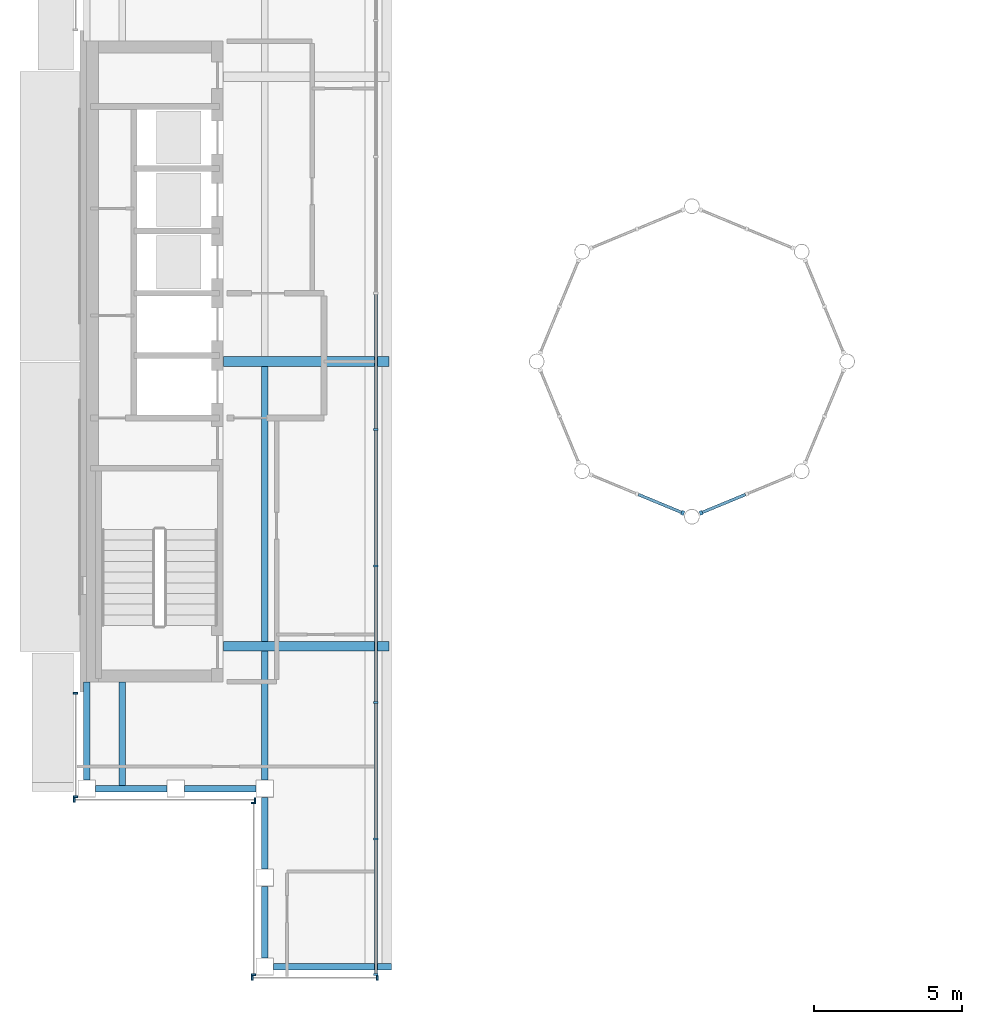
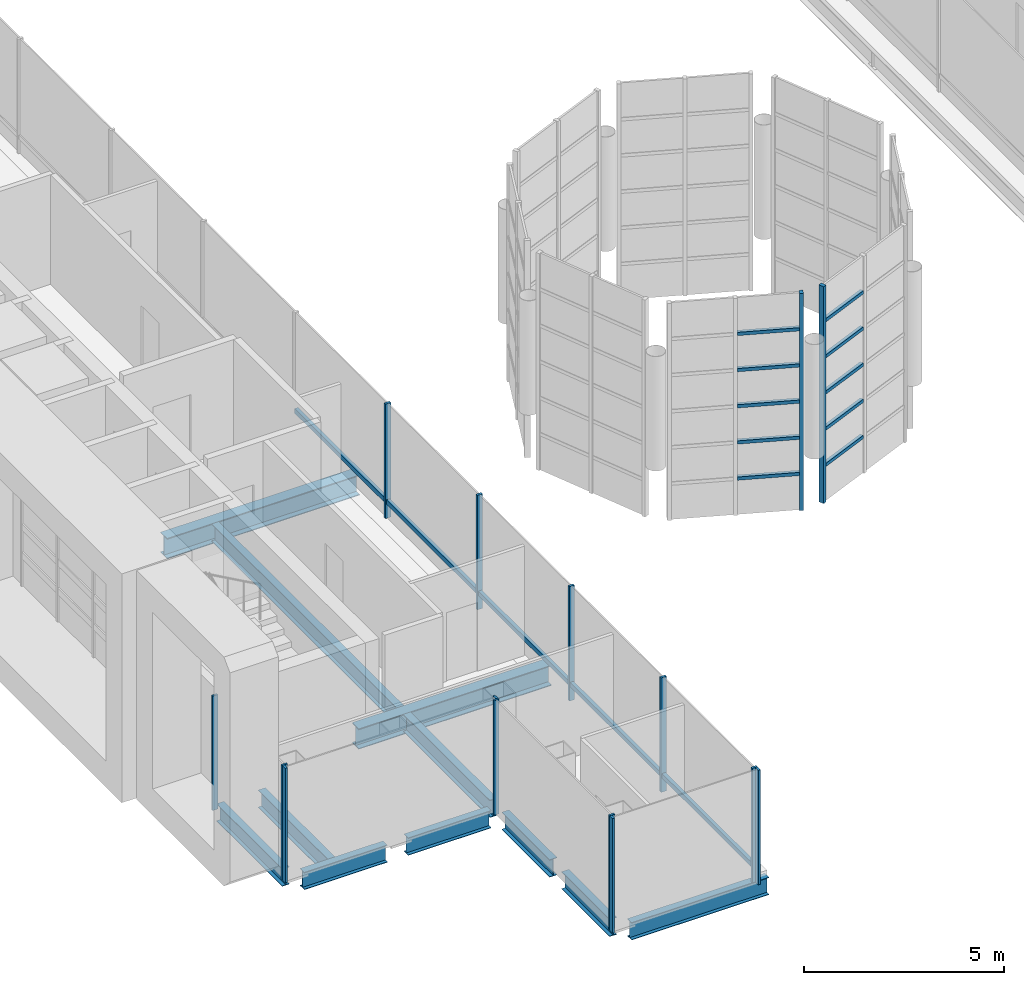
# One storey, part 3 of 21: 30 members, 11 beams, 7 elements without a shape of their own.
"""IFC4 building model written with IfcOpenShell, lengths in metres."""

from ifc_helpers import new_model, si_unit, direction, frame, origin, origin_2d, place, context, subcontext, project, spatial, rectangle, i_section, extrude, material, material_profile, profile_set, type_object, element, aggregate, save


model = new_model("IFC4")

# Units and contexts
model_context = context("Model", 3, precision=1e-05, world=origin(), true_north=direction((0.0, 1.0)))
body_context = subcontext(model_context, "Body", "Model", "MODEL_VIEW")
ifc_project = project(units=[si_unit("LENGTHUNIT", "METRE"), si_unit("AREAUNIT", "SQUARE_METRE"), si_unit("VOLUMEUNIT", "CUBIC_METRE"), si_unit("PLANEANGLEUNIT", "RADIAN"), si_unit("MASSUNIT", "GRAM", prefix="KILO")], contexts=[model_context])

# Site, building, storey
site_placement = place(None, origin())
site = spatial("IfcSite", under=ifc_project, at=site_placement, CompositionType="ELEMENT")
building_placement = place(site_placement, origin())
building = spatial("IfcBuilding", under=site, at=building_placement, Name="Cobrizo Arcos Hotel Tower", CompositionType="ELEMENT")
storey_placement = place(building_placement, frame((0.0, 0.0, 283.0)))
storey = spatial("IfcBuildingStorey", under=building, at=storey_placement, Name="L75", CompositionType="ELEMENT", Elevation=283.0)

# Curtain wall, members
ifc_material_1 = material(Name="Aluminium 6063-T6 anodised bronze", Category="aluminium")
curtain_wall_type_1 = type_object("IfcCurtainWallType", Name="CW-A guest facade", PredefinedType="NOTDEFINED", material=ifc_material_1)
curtain_wall_1_placement = place(storey_placement, origin())
curtain_wall_1 = element("IfcCurtainWall", 1, at=curtain_wall_1_placement, inside=storey, type_object=curtain_wall_type_1, Name="CW-A L75 S face", PredefinedType="NOTDEFINED")
ifc_material_profile_1 = material_profile(ifc_material_1, rectangle(XDim=0.14990234375, YDim=0.06005859375, at=origin_2d()), Name="CW-A mullion 150x60")
ifc_profile_set_1 = profile_set([ifc_material_profile_1], Name="Aluminium 6063-T6 anodised bronze")
member_type_1 = type_object("IfcMemberType", Name="CW-A mullion 150x60", PredefinedType="MULLION", material=ifc_profile_set_1)
member_1_placement = place(storey_placement, frame((-14.820068359375, -20.77490234375, 0.0), z_axis=(0.0, 0.0, 1.0), x_axis=(0.0, -1.0, 0.0)))
member_1 = element("IfcMember", 2, at=member_1_placement, type_object=member_type_1, Name="CW-A mullion 1", PredefinedType="MULLION", context=body_context, shape_type="SweptSolid", body=[
    extrude(rectangle(XDim=0.14990234375, YDim=0.06005859375, at=origin_2d()), origin(), (0.0, 0.0, 1.0), 3.5),
])
member_2_placement = place(storey_placement, frame((-10.60595703125, -20.77490234375, 0.0), z_axis=(0.0, 0.0, 1.0), x_axis=(0.0, -1.0, 0.0)))
member_2 = element("IfcMember", 3, at=member_2_placement, type_object=member_type_1, Name="CW-A mullion 2", PredefinedType="MULLION", context=body_context, shape_type="SweptSolid", body=[
    extrude(rectangle(XDim=0.14990234375, YDim=0.06005859375, at=origin_2d()), origin(), (0.0, 0.0, 1.0), 3.5),
])
aggregate(curtain_wall_1, [member_1, member_2])

curtain_wall_2_placement = place(storey_placement, origin())
curtain_wall_2 = element("IfcCurtainWall", 4, at=curtain_wall_2_placement, inside=storey, type_object=curtain_wall_type_1, Name="CW-A L75 W face", PredefinedType="NOTDEFINED")
member_3_placement = place(storey_placement, frame((-20.77490234375, -11.179931640625, 0.0), z_axis=(0.0, 0.0, 1.0), x_axis=(-1.0, 0.0, 0.0)))
member_3 = element("IfcMember", 5, at=member_3_placement, type_object=member_type_1, Name="CW-A mullion 1", PredefinedType="MULLION", context=body_context, shape_type="SweptSolid", body=[
    extrude(rectangle(XDim=0.14990234375, YDim=0.06005859375, at=origin_2d()), origin(), (0.0, 0.0, 1.0), 3.5),
])
member_4_placement = place(storey_placement, frame((-20.77490234375, -14.669921875, 0.0), z_axis=(0.0, 0.0, 1.0), x_axis=(-1.0, 0.0, 0.0)))
member_4 = element("IfcMember", 6, at=member_4_placement, type_object=member_type_1, Name="CW-A mullion 2", PredefinedType="MULLION", context=body_context, shape_type="SweptSolid", body=[
    extrude(rectangle(XDim=0.14990234375, YDim=0.06005859375, at=origin_2d()), origin(), (0.0, 0.0, 1.0), 3.5),
])
aggregate(curtain_wall_2, [member_3, member_4])

curtain_wall_3_placement = place(storey_placement, origin())
curtain_wall_3 = element("IfcCurtainWall", 7, at=curtain_wall_3_placement, inside=storey, type_object=curtain_wall_type_1, Name="CW-A L75 S face", PredefinedType="NOTDEFINED")
member_5_placement = place(storey_placement, frame((-20.820068359375, -14.77490234375, 0.0), z_axis=(0.0, 0.0, 1.0), x_axis=(0.0, -1.0, 0.0)))
member_5 = element("IfcMember", 8, at=member_5_placement, type_object=member_type_1, Name="CW-A mullion 1", PredefinedType="MULLION", context=body_context, shape_type="SweptSolid", body=[
    extrude(rectangle(XDim=0.14990234375, YDim=0.06005859375, at=origin_2d()), origin(), (0.0, 0.0, 1.0), 3.5),
])
member_6_placement = place(storey_placement, frame((-14.72998046875, -14.77490234375, 0.0), z_axis=(0.0, 0.0, 1.0), x_axis=(0.0, -1.0, 0.0)))
member_6 = element("IfcMember", 9, at=member_6_placement, type_object=member_type_1, Name="CW-A mullion 2", PredefinedType="MULLION", context=body_context, shape_type="SweptSolid", body=[
    extrude(rectangle(XDim=0.14990234375, YDim=0.06005859375, at=origin_2d()), origin(), (0.0, 0.0, 1.0), 3.5),
])
aggregate(curtain_wall_3, [member_5, member_6])

curtain_wall_4_placement = place(storey_placement, origin())
curtain_wall_4 = element("IfcCurtainWall", 10, at=curtain_wall_4_placement, inside=storey, type_object=curtain_wall_type_1, Name="CW-A L75 W face", PredefinedType="NOTDEFINED")
member_7_placement = place(storey_placement, frame((-14.77490234375, -14.8798828125, 0.0), z_axis=(0.0, 0.0, 1.0), x_axis=(-1.0, 0.0, 0.0)))
member_7 = element("IfcMember", 11, at=member_7_placement, type_object=member_type_1, Name="CW-A mullion 1", PredefinedType="MULLION", context=body_context, shape_type="SweptSolid", body=[
    extrude(rectangle(XDim=0.14990234375, YDim=0.06005859375, at=origin_2d()), origin(), (0.0, 0.0, 1.0), 3.5),
])
member_8_placement = place(storey_placement, frame((-14.77490234375, -20.669921875, 0.0), z_axis=(0.0, 0.0, 1.0), x_axis=(-1.0, 0.0, 0.0)))
member_8 = element("IfcMember", 12, at=member_8_placement, type_object=member_type_1, Name="CW-A mullion 2", PredefinedType="MULLION", context=body_context, shape_type="SweptSolid", body=[
    extrude(rectangle(XDim=0.14990234375, YDim=0.06005859375, at=origin_2d()), origin(), (0.0, 0.0, 1.0), 3.5),
])
aggregate(curtain_wall_4, [member_7, member_8])

curtain_wall_type_2 = type_object("IfcCurtainWallType", Name="CW-C arch infill and crown glazing", PredefinedType="NOTDEFINED", material=ifc_material_1)
curtain_wall_5_placement = place(storey_placement, origin())
curtain_wall_5 = element("IfcCurtainWall", 13, at=curtain_wall_5_placement, inside=storey, type_object=curtain_wall_type_2, Name="CW-C L75 E face", PredefinedType="NOTDEFINED")
ifc_material_profile_2 = material_profile(ifc_material_1, rectangle(XDim=0.14990234375, YDim=0.070068359375, at=origin_2d()), Name="CW-C mullion 150x70")
ifc_profile_set_2 = profile_set([ifc_material_profile_2], Name="Aluminium 6063-T6 anodised bronze")
member_type_2 = type_object("IfcMemberType", Name="CW-C mullion 150x70", PredefinedType="MULLION", material=ifc_profile_set_2)
member_9_placement = place(storey_placement, frame((-10.65087890625, -20.6650390625, 0.0), z_axis=(0.0, 0.0, 1.0), x_axis=(1.0, 0.0, 0.0)))
member_9 = element("IfcMember", 14, at=member_9_placement, type_object=member_type_2, Name="CW-C mullion 1", PredefinedType="MULLION", context=body_context, shape_type="SweptSolid", body=[
    extrude(rectangle(XDim=0.14990234375, YDim=0.070068359375, at=origin_2d()), origin(), (0.0, 0.0, 1.0), 3.5),
])
member_10_placement = place(storey_placement, frame((-10.65087890625, -16.10009765625, 0.0), z_axis=(0.0, 0.0, 1.0), x_axis=(1.0, 0.0, 0.0)))
member_10 = element("IfcMember", 15, at=member_10_placement, type_object=member_type_2, Name="CW-C mullion 2", PredefinedType="MULLION", context=body_context, shape_type="SweptSolid", body=[
    extrude(rectangle(XDim=0.14990234375, YDim=0.070068359375, at=origin_2d()), origin(), (0.0, 0.0, 1.0), 3.5),
])
member_11_placement = place(storey_placement, frame((-10.65087890625, -11.5, 0.0), z_axis=(0.0, 0.0, 1.0), x_axis=(1.0, 0.0, 0.0)))
member_11 = element("IfcMember", 16, at=member_11_placement, type_object=member_type_2, Name="CW-C mullion 3", PredefinedType="MULLION", context=body_context, shape_type="SweptSolid", body=[
    extrude(rectangle(XDim=0.14990234375, YDim=0.070068359375, at=origin_2d()), origin(), (0.0, 0.0, 1.0), 3.5),
])
member_12_placement = place(storey_placement, frame((-10.65087890625, -6.89990234375, 0.0), z_axis=(0.0, 0.0, 1.0), x_axis=(1.0, 0.0, 0.0)))
member_12 = element("IfcMember", 17, at=member_12_placement, type_object=member_type_2, Name="CW-C mullion 4", PredefinedType="MULLION", context=body_context, shape_type="SweptSolid", body=[
    extrude(rectangle(XDim=0.14990234375, YDim=0.070068359375, at=origin_2d()), origin(), (0.0, 0.0, 1.0), 3.5),
])
member_13_placement = place(storey_placement, frame((-10.65087890625, -2.300048828125, 0.0), z_axis=(0.0, 0.0, 1.0), x_axis=(1.0, 0.0, 0.0)))
member_13 = element("IfcMember", 18, at=member_13_placement, type_object=member_type_2, Name="CW-C mullion 5", PredefinedType="MULLION", context=body_context, shape_type="SweptSolid", body=[
    extrude(rectangle(XDim=0.14990234375, YDim=0.070068359375, at=origin_2d()), origin(), (0.0, 0.0, 1.0), 3.5),
])
ifc_material_profile_3 = material_profile(ifc_material_1, rectangle(XDim=0.10009765625, YDim=0.139892578125, at=origin_2d()), Name="CW-C transom 140x100")
ifc_profile_set_3 = profile_set([ifc_material_profile_3], Name="Aluminium 6063-T6 anodised bronze")
member_type_3 = type_object("IfcMemberType", Name="CW-C transom 140x100", PredefinedType="USERDEFINED", material=ifc_profile_set_3)
member_14_placement = place(storey_placement, frame((-10.65087890625, -20.6298828125, 0.5), z_axis=(0.0, 1.0, 0.0), x_axis=(-1.0, 0.0, 0.0)))
member_14 = element("IfcMember", 19, at=member_14_placement, type_object=member_type_3, Name="CW-C transom 2376", ObjectType="TRANSOM", PredefinedType="USERDEFINED", context=body_context, shape_type="SweptSolid", body=[
    extrude(rectangle(XDim=0.10009765625, YDim=0.139892578125, at=origin_2d()), origin(), (0.0, 0.0, 1.0), 4.494873046875),
])
member_15_placement = place(storey_placement, frame((-10.65087890625, -16.06494140625, 0.5), z_axis=(0.0, 1.0, 0.0), x_axis=(-1.0, 0.0, 0.0)))
member_15 = element("IfcMember", 20, at=member_15_placement, type_object=member_type_3, Name="CW-C transom 2377", ObjectType="TRANSOM", PredefinedType="USERDEFINED", context=body_context, shape_type="SweptSolid", body=[
    extrude(rectangle(XDim=0.10009765625, YDim=0.139892578125, at=origin_2d()), origin(), (0.0, 0.0, 1.0), 4.530029296875),
])
member_16_placement = place(storey_placement, frame((-10.65087890625, -11.465087890625, 0.5), z_axis=(0.0, 1.0, 0.0), x_axis=(-1.0, 0.0, 0.0)))
member_16 = element("IfcMember", 21, at=member_16_placement, type_object=member_type_3, Name="CW-C transom 2378", ObjectType="TRANSOM", PredefinedType="USERDEFINED", context=body_context, shape_type="SweptSolid", body=[
    extrude(rectangle(XDim=0.10009765625, YDim=0.139892578125, at=origin_2d()), origin(), (0.0, 0.0, 1.0), 4.530029296875),
])
member_17_placement = place(storey_placement, frame((-10.65087890625, -6.864990234375, 0.5), z_axis=(0.0, 1.0, 0.0), x_axis=(-1.0, 0.0, 0.0)))
member_17 = element("IfcMember", 22, at=member_17_placement, type_object=member_type_3, Name="CW-C transom 2379", ObjectType="TRANSOM", PredefinedType="USERDEFINED", context=body_context, shape_type="SweptSolid", body=[
    extrude(rectangle(XDim=0.10009765625, YDim=0.139892578125, at=origin_2d()), origin(), (0.0, 0.0, 1.0), 4.530029296875),
])
member_18_placement = place(storey_placement, frame((-10.65087890625, -2.264892578125, 0.5), z_axis=(0.0, 1.0, 0.0), x_axis=(-1.0, 0.0, 0.0)))
member_18 = element("IfcMember", 23, at=member_18_placement, type_object=member_type_3, Name="CW-C transom 2380", ObjectType="TRANSOM", PredefinedType="USERDEFINED", context=body_context, shape_type="SweptSolid", body=[
    extrude(rectangle(XDim=0.10009765625, YDim=0.139892578125, at=origin_2d()), origin(), (0.0, 0.0, 1.0), 4.52978515625),
])
aggregate(curtain_wall_5, [member_9, member_10, member_11, member_12, member_13, member_14, member_15, member_16, member_17, member_18])

# Curtain wall, member
curtain_wall_type_3 = type_object("IfcCurtainWallType", Name="CW-D plant louvre wall", PredefinedType="NOTDEFINED", material=ifc_material_1)
curtain_wall_6_placement = place(storey_placement, origin())
curtain_wall_6 = element("IfcCurtainWall", 24, at=curtain_wall_6_placement, inside=storey, type_object=curtain_wall_type_3, Name="CW-D drum louvre wall t2-6", PredefinedType="NOTDEFINED")
ifc_material_profile_4 = material_profile(ifc_material_1, rectangle(XDim=0.14990234375, YDim=0.10009765625, at=origin_2d()), Name="CW-D mullion 150x100")
ifc_profile_set_4 = profile_set([ifc_material_profile_4], Name="Aluminium 6063-T6 anodised bronze")
member_type_4 = type_object("IfcMemberType", Name="CW-D mullion 150x100", PredefinedType="MULLION", material=ifc_profile_set_4)
member_19_placement = place(storey_placement, frame((-0.30859375, -5.104736328125, -1.666748046875), z_axis=(0.0, 0.0, 1.0), x_axis=(-0.382683432365, -0.923879532511, 0.0)))
member_19 = element("IfcMember", 25, at=member_19_placement, type_object=member_type_4, Name="CW-D mullion 3", PredefinedType="MULLION", context=body_context, shape_type="SweptSolid", body=[
    extrude(rectangle(XDim=0.14990234375, YDim=0.10009765625, at=origin_2d()), origin(), (0.0, 0.0, 1.0), 6.633544921875),
])

curtain_wall_7_placement = place(storey_placement, origin())
curtain_wall_7 = element("IfcCurtainWall", 26, at=curtain_wall_7_placement, inside=storey, type_object=curtain_wall_type_3, Name="CW-D drum louvre wall t2-7", PredefinedType="NOTDEFINED")
member_20_placement = place(storey_placement, frame((0.30859375, -5.104736328125, -1.666748046875), z_axis=(0.0, 0.0, 1.0), x_axis=(0.382683432365, -0.923879532511, 0.0)))
member_20 = element("IfcMember", 27, at=member_20_placement, type_object=member_type_4, Name="CW-D mullion 1", PredefinedType="MULLION", context=body_context, shape_type="SweptSolid", body=[
    extrude(rectangle(XDim=0.14990234375, YDim=0.10009765625, at=origin_2d()), origin(), (0.0, 0.0, 1.0), 6.633544921875),
])

# Member
ifc_material_profile_5 = material_profile(ifc_material_1, rectangle(XDim=0.10009765625, YDim=0.10009765625, at=origin_2d()), Name="CW-D transom 100x100")
ifc_profile_set_5 = profile_set([ifc_material_profile_5], Name="Aluminium 6063-T6 anodised bronze")
member_type_5 = type_object("IfcMemberType", Name="CW-D transom 100x100", PredefinedType="USERDEFINED", material=ifc_profile_set_5)
member_21_placement = place(storey_placement, frame((-1.8037109375, -4.4853515625, -0.56103515625), z_axis=(0.923844168663, -0.382768797092, 0.0), x_axis=(0.382768797092, 0.923844168663, 0.0)))
member_21 = element("IfcMember", 28, at=member_21_placement, type_object=member_type_5, Name="CW-D transom 2-1", ObjectType="TRANSOM", PredefinedType="USERDEFINED", context=body_context, shape_type="SweptSolid", body=[
    extrude(rectangle(XDim=0.10009765625, YDim=0.10009765625, at=origin_2d()), origin(), (0.0, 0.0, 1.0), 1.568359375),
])

member_22_placement = place(storey_placement, frame((-1.8037109375, -4.4853515625, 0.54443359375), z_axis=(0.923844168663, -0.382768797092, 0.0), x_axis=(0.382768797092, 0.923844168663, 0.0)))
member_22 = element("IfcMember", 29, at=member_22_placement, type_object=member_type_5, Name="CW-D transom 2-2", ObjectType="TRANSOM", PredefinedType="USERDEFINED", context=body_context, shape_type="SweptSolid", body=[
    extrude(rectangle(XDim=0.10009765625, YDim=0.10009765625, at=origin_2d()), origin(), (0.0, 0.0, 1.0), 1.568359375),
])

member_23_placement = place(storey_placement, frame((-1.8037109375, -4.4853515625, 1.64990234375), z_axis=(0.923844168663, -0.382768797092, 0.0), x_axis=(0.382768797092, 0.923844168663, 0.0)))
member_23 = element("IfcMember", 30, at=member_23_placement, type_object=member_type_5, Name="CW-D transom 2-3", ObjectType="TRANSOM", PredefinedType="USERDEFINED", context=body_context, shape_type="SweptSolid", body=[
    extrude(rectangle(XDim=0.10009765625, YDim=0.10009765625, at=origin_2d()), origin(), (0.0, 0.0, 1.0), 1.568359375),
])

member_24_placement = place(storey_placement, frame((-1.8037109375, -4.4853515625, 2.755615234375), z_axis=(0.923844168663, -0.382768797092, 0.0), x_axis=(0.382768797092, 0.923844168663, 0.0)))
member_24 = element("IfcMember", 31, at=member_24_placement, type_object=member_type_5, Name="CW-D transom 2-4", ObjectType="TRANSOM", PredefinedType="USERDEFINED", context=body_context, shape_type="SweptSolid", body=[
    extrude(rectangle(XDim=0.10009765625, YDim=0.10009765625, at=origin_2d()), origin(), (0.0, 0.0, 1.0), 1.568359375),
])

member_25_placement = place(storey_placement, frame((-1.8037109375, -4.4853515625, 3.861083984375), z_axis=(0.923844168663, -0.382768797092, 0.0), x_axis=(0.382768797092, 0.923844168663, 0.0)))
member_25 = element("IfcMember", 32, at=member_25_placement, type_object=member_type_5, Name="CW-D transom 2-5", ObjectType="TRANSOM", PredefinedType="USERDEFINED", context=body_context, shape_type="SweptSolid", body=[
    extrude(rectangle(XDim=0.10009765625, YDim=0.10009765625, at=origin_2d()), origin(), (0.0, 0.0, 1.0), 1.568359375),
])

aggregate(curtain_wall_6, [member_19, member_21, member_22, member_23, member_24, member_25])

member_26_placement = place(storey_placement, frame((0.354736328125, -5.085693359375, -0.56103515625), z_axis=(0.923844168663, 0.382768797092, 0.0), x_axis=(-0.382768797092, 0.923844168663, 0.0)))
member_26 = element("IfcMember", 33, at=member_26_placement, type_object=member_type_5, Name="CW-D transom 1-1", ObjectType="TRANSOM", PredefinedType="USERDEFINED", context=body_context, shape_type="SweptSolid", body=[
    extrude(rectangle(XDim=0.10009765625, YDim=0.10009765625, at=origin_2d()), origin(), (0.0, 0.0, 1.0), 1.568359375),
])

member_27_placement = place(storey_placement, frame((0.354736328125, -5.085693359375, 0.54443359375), z_axis=(0.923844168663, 0.382768797092, 0.0), x_axis=(-0.382768797092, 0.923844168663, 0.0)))
member_27 = element("IfcMember", 34, at=member_27_placement, type_object=member_type_5, Name="CW-D transom 1-2", ObjectType="TRANSOM", PredefinedType="USERDEFINED", context=body_context, shape_type="SweptSolid", body=[
    extrude(rectangle(XDim=0.10009765625, YDim=0.10009765625, at=origin_2d()), origin(), (0.0, 0.0, 1.0), 1.568359375),
])

member_28_placement = place(storey_placement, frame((0.354736328125, -5.085693359375, 1.64990234375), z_axis=(0.923844168663, 0.382768797092, 0.0), x_axis=(-0.382768797092, 0.923844168663, 0.0)))
member_28 = element("IfcMember", 35, at=member_28_placement, type_object=member_type_5, Name="CW-D transom 1-3", ObjectType="TRANSOM", PredefinedType="USERDEFINED", context=body_context, shape_type="SweptSolid", body=[
    extrude(rectangle(XDim=0.10009765625, YDim=0.10009765625, at=origin_2d()), origin(), (0.0, 0.0, 1.0), 1.568359375),
])

member_29_placement = place(storey_placement, frame((0.354736328125, -5.085693359375, 2.755615234375), z_axis=(0.923844168663, 0.382768797092, 0.0), x_axis=(-0.382768797092, 0.923844168663, 0.0)))
member_29 = element("IfcMember", 36, at=member_29_placement, type_object=member_type_5, Name="CW-D transom 1-4", ObjectType="TRANSOM", PredefinedType="USERDEFINED", context=body_context, shape_type="SweptSolid", body=[
    extrude(rectangle(XDim=0.10009765625, YDim=0.10009765625, at=origin_2d()), origin(), (0.0, 0.0, 1.0), 1.568359375),
])

member_30_placement = place(storey_placement, frame((0.354736328125, -5.085693359375, 3.861083984375), z_axis=(0.923844168663, 0.382768797092, 0.0), x_axis=(-0.382768797092, 0.923844168663, 0.0)))
member_30 = element("IfcMember", 37, at=member_30_placement, type_object=member_type_5, Name="CW-D transom 1-5", ObjectType="TRANSOM", PredefinedType="USERDEFINED", context=body_context, shape_type="SweptSolid", body=[
    extrude(rectangle(XDim=0.10009765625, YDim=0.10009765625, at=origin_2d()), origin(), (0.0, 0.0, 1.0), 1.568359375),
])

aggregate(curtain_wall_7, [member_20, member_26, member_27, member_28, member_29, member_30])

# Beams
ifc_material_2 = material(Name="Steel ASTM A992 Grade 50", Category="steel")
ifc_material_profile_6 = material_profile(ifc_material_2, i_section(OverallWidth=0.209228515625, OverallDepth=0.533447265625, WebThickness=0.01025390625, FlangeThickness=0.015625, at=origin_2d()), Name="W21X62")
ifc_profile_set_6 = profile_set([ifc_material_profile_6], Name="Steel ASTM A992 Grade 50")
beam_type_1 = type_object("IfcBeamType", Name="W21X62 joist", PredefinedType="JOIST", material=ifc_profile_set_6)
beam_1_placement = place(storey_placement, frame((-19.199951171875, -14.31005859375, -0.416748046875), z_axis=(0.0, 1.0, 0.0), x_axis=(-1.0, 0.0, 0.0)))
element("IfcBeam", 38, at=beam_1_placement, inside=storey, type_object=beam_type_1, Name="Floor joist J1, L75, no. 001", PredefinedType="JOIST", context=body_context, shape_type="SweptSolid", body=[
    extrude(i_section(OverallWidth=0.209228515625, OverallDepth=0.533447265625, WebThickness=0.01025390625, FlangeThickness=0.015625, at=origin_2d()), origin(), (0.0, 0.0, 1.0), 3.5),
])
beam_2_placement = place(storey_placement, frame((-14.39990234375, -14.10009765625, -0.416748046875), z_axis=(0.0, 1.0, 0.0), x_axis=(-1.0, 0.0, 0.0)))
element("IfcBeam", 39, at=beam_2_placement, inside=storey, type_object=beam_type_1, Name="Floor joist J1, L75, no. 003", PredefinedType="JOIST", context=body_context, shape_type="SweptSolid", body=[
    extrude(i_section(OverallWidth=0.209228515625, OverallDepth=0.533447265625, WebThickness=0.01025390625, FlangeThickness=0.015625, at=origin_2d()), origin(), (0.0, 0.0, 1.0), 4.336181640625),
])
beam_3_placement = place(storey_placement, frame((-14.39990234375, -9.43603515625, -0.416748046875), z_axis=(0.0, 1.0, 0.0), x_axis=(-1.0, 0.0, 0.0)))
element("IfcBeam", 40, at=beam_3_placement, inside=storey, type_object=beam_type_1, Name="Floor joist J1, L75, no. 004", PredefinedType="JOIST", context=body_context, shape_type="SweptSolid", body=[
    extrude(i_section(OverallWidth=0.209228515625, OverallDepth=0.533447265625, WebThickness=0.01025390625, FlangeThickness=0.015625, at=origin_2d()), origin(), (0.0, 0.0, 1.0), 9.272216796875),
])
ifc_material_profile_7 = material_profile(ifc_material_2, i_section(OverallWidth=0.209228515625, OverallDepth=0.533447265625, WebThickness=0.01025390625, FlangeThickness=0.015625, at=origin_2d()), Name="W21X62")
ifc_profile_set_7 = profile_set([ifc_material_profile_7], Name="Steel ASTM A992 Grade 50")
beam_type_2 = type_object("IfcBeamType", Name="W21X62 spandrel", PredefinedType="SPANDREL", material=ifc_profile_set_7)
beam_4_placement = place(storey_placement, frame((-20.39990234375, -14.10009765625, -0.416748046875), z_axis=(0.0, 1.0, 0.0), x_axis=(-1.0, 0.0, 0.0)))
element("IfcBeam", 41, at=beam_4_placement, inside=storey, type_object=beam_type_2, Name="Spandrel beam W21X62, L75, no. 001", PredefinedType="SPANDREL", context=body_context, shape_type="SweptSolid", body=[
    extrude(i_section(OverallWidth=0.209228515625, OverallDepth=0.533447265625, WebThickness=0.01025390625, FlangeThickness=0.015625, at=origin_2d()), origin(), (0.0, 0.0, 1.0), 3.2900390625),
])
beam_5_placement = place(storey_placement, frame((-10.1279296875, -20.39990234375, -0.416748046875), z_axis=(-1.0, 0.0, 0.0), x_axis=(0.0, -1.0, 0.0)))
element("IfcBeam", 42, at=beam_5_placement, inside=storey, type_object=beam_type_2, Name="Spandrel beam W21X62, L75, no. 008", PredefinedType="SPANDREL", context=body_context, shape_type="SweptSolid", body=[
    extrude(i_section(OverallWidth=0.209228515625, OverallDepth=0.533447265625, WebThickness=0.01025390625, FlangeThickness=0.015625, at=origin_2d()), origin(), (0.0, 0.0, 1.0), 3.97216796875),
])
for number, where, z_axis, x_axis, name in (
    (43, (-14.39990234375, -20.10009765625, -0.416748046875), (0.0, 1.0, 0.0), (-1.0, 0.0, 0.0), "Spandrel beam W21X62, L75, no. 009"),
    (44, (-14.39990234375, -17.10009765625, -0.416748046875), (0.0, 1.0, 0.0), (-1.0, 0.0, 0.0), "Spandrel beam W21X62, L75, no. 010"),
    (45, (-14.699951171875, -14.39990234375, -0.416748046875), (-1.0, 0.0, 0.0), (0.0, -1.0, 0.0), "Spandrel beam W21X62, L75, no. 011"),
    (46, (-17.699951171875, -14.39990234375, -0.416748046875), (-1.0, 0.0, 0.0), (0.0, -1.0, 0.0), "Spandrel beam W21X62, L75, no. 012"),
):
    element("IfcBeam", number, at=place(storey_placement, frame(where, z_axis=z_axis, x_axis=x_axis)), inside=storey, type_object=beam_type_2, Name=name, PredefinedType="SPANDREL", context=body_context, shape_type="SweptSolid", body=[
        extrude(i_section(OverallWidth=0.209228515625, OverallDepth=0.533447265625, WebThickness=0.01025390625, FlangeThickness=0.015625, at=origin_2d()), origin(), (0.0, 0.0, 1.0), 2.400146484375),
    ])
ifc_material_profile_8 = material_profile(ifc_material_2, i_section(OverallWidth=0.32763671875, OverallDepth=0.622314453125, WebThickness=0.015380859375, FlangeThickness=0.0244140625, at=origin_2d()), Name="W24X131")
ifc_profile_set_8 = profile_set([ifc_material_profile_8], Name="Steel ASTM A992 Grade 50")
beam_type_3 = type_object("IfcBeamType", Name="W24X131 girder", PredefinedType="BEAM", material=ifc_profile_set_8)
for number, where, z_axis, x_axis, name in (
    (47, (-15.7900390625, -9.60009765625, -0.461181640625), (1.0, 0.0, 0.0), (0.0, 1.0, 0.0), "Floor girder G1, L75, no. 001"),
    (48, (-15.7900390625, 0.0, -0.461181640625), (1.0, 0.0, 0.0), (0.0, 1.0, 0.0), "Floor girder G1, L75, no. 003"),
):
    element("IfcBeam", number, at=place(storey_placement, frame(where, z_axis=z_axis, x_axis=x_axis)), inside=storey, type_object=beam_type_3, Name=name, PredefinedType="BEAM", context=body_context, shape_type="SweptSolid", body=[
        extrude(i_section(OverallWidth=0.32763671875, OverallDepth=0.622314453125, WebThickness=0.015380859375, FlangeThickness=0.0244140625, at=origin_2d()), origin(), (0.0, 0.0, 1.0), 5.572021484375),
    ])

save(model, "model.ifc")
